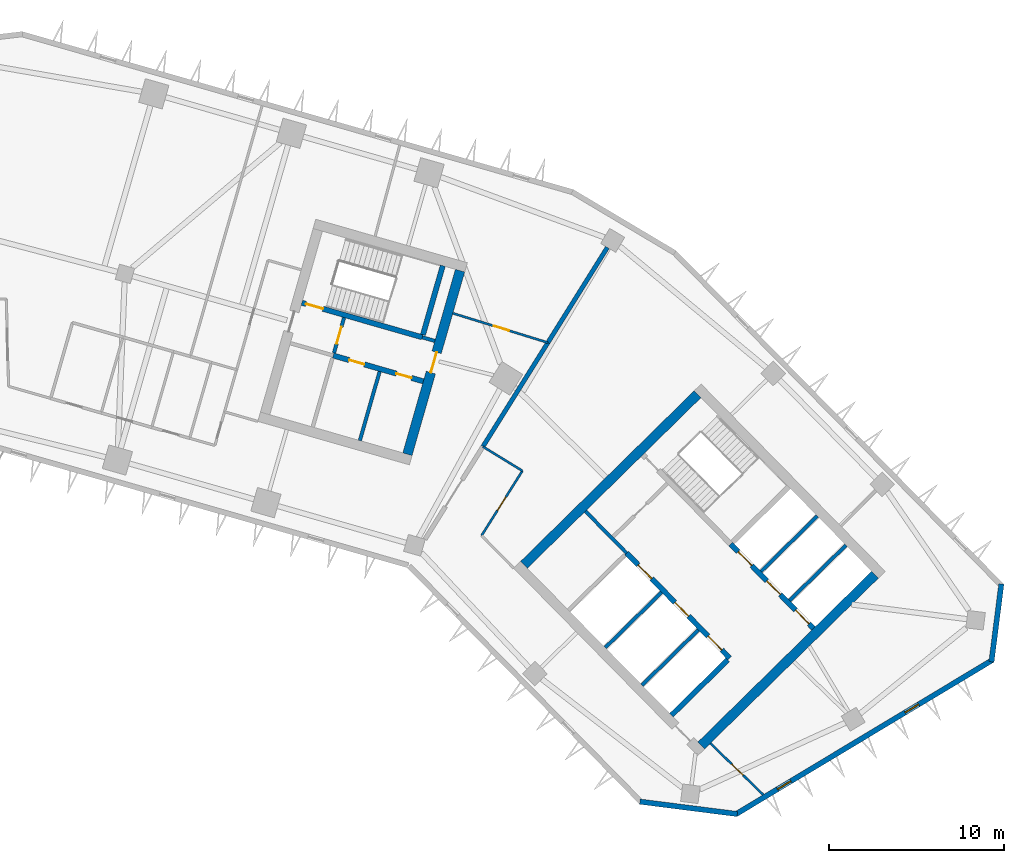
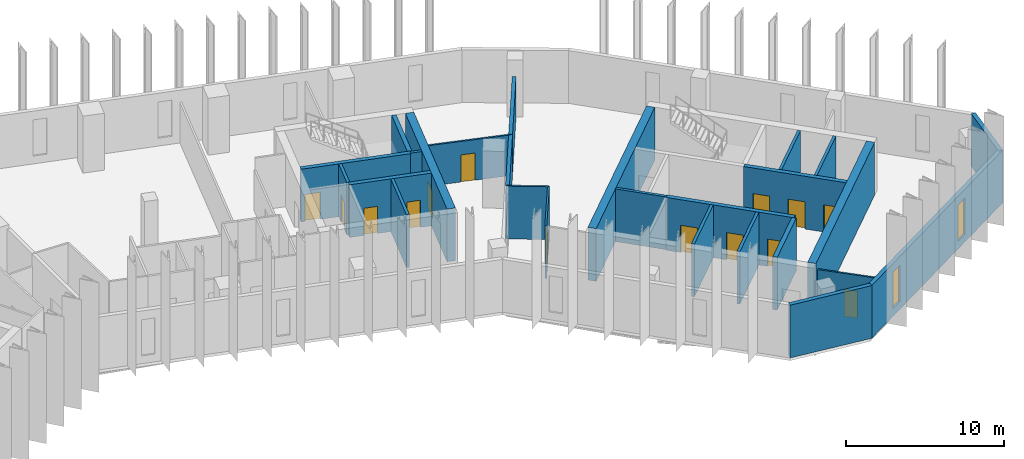
# One storey, part 6 of 11: 26 walls, 14 doors, 2 windows, 16 openings.
"""IFC4 building model written with IfcOpenShell, lengths in metres."""

from ifc_helpers import new_model, si_unit, direction, frame, frame_2d, origin, place, context, subcontext, project, spatial, rectangle, extrude, material, layer, layer_set, type_object, element, fill, save


model = new_model("IFC4")

# Units and contexts
model_context = context("Model", 3, precision=1e-05, world=origin(), true_north=direction((0.0, 1.0)))
body_context = subcontext(model_context, "Body", "Model", "MODEL_VIEW")
ifc_project = project(units=[si_unit("LENGTHUNIT", "METRE"), si_unit("AREAUNIT", "SQUARE_METRE"), si_unit("VOLUMEUNIT", "CUBIC_METRE"), si_unit("PLANEANGLEUNIT", "RADIAN"), si_unit("MASSUNIT", "GRAM", prefix="KILO")], contexts=[model_context])

# Site, building, storey
site_placement = place(None, origin())
site = spatial("IfcSite", under=ifc_project, at=site_placement, CompositionType="ELEMENT")
building_placement = place(site_placement, origin())
building = spatial("IfcBuilding", under=site, at=building_placement, Name="Binnacle Exchange Tower", CompositionType="ELEMENT")
storey_placement = place(building_placement, frame((0.0, 0.0, 105.89990234375)))
storey = spatial("IfcBuildingStorey", under=building, at=storey_placement, Name="L21", CompositionType="ELEMENT", Elevation=105.89990234375)

# Wall
ifc_material_1 = material(Name="Gypsum partition fire rated")
ifc_layer_1 = layer(ifc_material_1, 0.199951171875)
ifc_layer_set_1 = layer_set([ifc_layer_1], Name="Core partition 200")
wall_type_1 = type_object("IfcWallType", Name="Core partition 200", PredefinedType="PARTITIONING", material=ifc_layer_set_1)
wall_1_placement = place(storey_placement, frame((22.65087890625, 47.835205078125, 0.0), z_axis=(0.0, 0.0, 1.0), x_axis=(0.275625388668, 0.961265127383, 0.0)))
element("IfcWall", 1, at=wall_1_placement, inside=storey, type_object=wall_type_1, Name="Core wall CRWD10", PredefinedType="PARTITIONING", context=body_context, shape_type="SweptSolid", body=[
    extrude(rectangle(XDim=4.100341796875, YDim=0.199951171875, at=frame_2d((2.05029296875, 0.0))), origin(), (0.0, 0.0, 1.0), 4.080078125),
])

# Wall, openings, doors
ifc_material_2 = material(Name="Concrete C70/85", Category="concrete")
ifc_layer_2 = layer(ifc_material_2, 0.300048828125)
ifc_layer_set_2 = layer_set([ifc_layer_2], Name="Core wall - front 300")
wall_type_2 = type_object("IfcWallType", Name="Core wall - front 300", PredefinedType="SOLIDWALL", material=ifc_layer_set_2)
wall_2_placement = place(storey_placement, frame((37.8740234375, 41.41552734375, 0.0), z_axis=(0.0, 0.0, 1.0), x_axis=(0.700918271237, -0.71324159795, 0.0)))
wall_2 = element("IfcWall", 2, at=wall_2_placement, inside=storey, type_object=wall_type_2, Name="Core wall CRWB3", PredefinedType="SOLIDWALL", context=body_context, shape_type="SweptSolid", body=[
    extrude(rectangle(XDim=8.39990234375, YDim=0.300048828125, at=frame_2d((4.199951171875, 0.0))), origin(), (0.0, 0.0, 1.0), 4.080078125),
])
opening_1_placement = place(wall_2_placement, frame((0.949951171875, 0.0, 0.0)))
opening_1 = element("IfcOpeningElement", 3, at=opening_1_placement, cuts=wall_2, Name="Opening LD15", PredefinedType="OPENING", context=body_context, shape_type="SweptSolid", body=[
    extrude(rectangle(XDim=1.10009765625, YDim=2.10009765625, at=frame_2d((0.550048828125, 1.050048828125))), frame((0.0, 0.159912109375, 0.0), z_axis=(0.0, -1.0, 0.0), x_axis=(1.0, 0.0, 0.0)), (0.0, 0.0, 1.0), 0.320068359375),
])
opening_2_placement = place(wall_2_placement, frame((3.949951171875, 0.0, 0.0)))
opening_2 = element("IfcOpeningElement", 4, at=opening_2_placement, cuts=wall_2, Name="Opening LD16", PredefinedType="OPENING", context=body_context, shape_type="SweptSolid", body=[
    extrude(rectangle(XDim=1.10009765625, YDim=2.10009765625, at=frame_2d((0.550048828125, 1.050048828125))), frame((0.0, 0.159912109375, 0.0), z_axis=(0.0, -1.0, 0.0), x_axis=(1.0, 0.0, 0.0)), (0.0, 0.0, 1.0), 0.320068359375),
])
opening_3_placement = place(wall_2_placement, frame((6.64990234375, 0.0, 0.0)))
opening_3 = element("IfcOpeningElement", 5, at=opening_3_placement, cuts=wall_2, Name="Opening LD4", PredefinedType="OPENING", context=body_context, shape_type="SweptSolid", body=[
    extrude(rectangle(XDim=1.10009765625, YDim=2.10009765625, at=frame_2d((0.550048828125, 1.050048828125))), frame((0.0, 0.159912109375, 0.0), z_axis=(0.0, -1.0, 0.0), x_axis=(1.0, 0.0, 0.0)), (0.0, 0.0, 1.0), 0.320068359375),
])
ifc_material_3 = material(Name="Steel door leaf", Category="steel")
door_type_1 = type_object("IfcDoorType", Name="Fire door - lift landing 1100", OperationType="NOTDEFINED", PredefinedType="DOOR", material=ifc_material_3)
door_1_placement = place(opening_1_placement, origin())
door_1 = element("IfcDoor", 6, at=door_1_placement, inside=storey, type_object=door_type_1, Name="Landing door LD15 L21", OperationType="DOUBLE_DOOR_SLIDING", OverallHeight=2.10009765625, OverallWidth=1.10009765625, PredefinedType="DOOR", context=body_context, shape_type="SweptSolid", body=[
    extrude(rectangle(XDim=1.10009765625, YDim=2.10009765625, at=frame_2d((0.550048828125, 1.050048828125))), frame((0.0, 0.02490234375, 0.0), z_axis=(0.0, -1.0, 0.0), x_axis=(1.0, 0.0, 0.0)), (0.0, 0.0, 1.0), 0.050048828125),
])
fill(opening_1, door_1)
door_2_placement = place(opening_2_placement, origin())
door_2 = element("IfcDoor", 7, at=door_2_placement, inside=storey, type_object=door_type_1, Name="Landing door LD16 L21", OperationType="DOUBLE_DOOR_SLIDING", OverallHeight=2.10009765625, OverallWidth=1.10009765625, PredefinedType="DOOR", context=body_context, shape_type="SweptSolid", body=[
    extrude(rectangle(XDim=1.10009765625, YDim=2.10009765625, at=frame_2d((0.550048828125, 1.050048828125))), frame((0.0, 0.02490234375, 0.0), z_axis=(0.0, -1.0, 0.0), x_axis=(1.0, 0.0, 0.0)), (0.0, 0.0, 1.0), 0.050048828125),
])
fill(opening_2, door_2)
door_3_placement = place(opening_3_placement, origin())
door_3 = element("IfcDoor", 8, at=door_3_placement, inside=storey, type_object=door_type_1, Name="Landing door LD4 L21", OperationType="DOUBLE_DOOR_SLIDING", OverallHeight=2.10009765625, OverallWidth=1.10009765625, PredefinedType="DOOR", context=body_context, shape_type="SweptSolid", body=[
    extrude(rectangle(XDim=1.10009765625, YDim=2.10009765625, at=frame_2d((0.550048828125, 1.050048828125))), frame((0.0, 0.02490234375, 0.0), z_axis=(0.0, -1.0, 0.0), x_axis=(1.0, 0.0, 0.0)), (0.0, 0.0, 1.0), 0.050048828125),
])
fill(opening_3, door_3)

wall_3_placement = place(storey_placement, frame((43.818603515625, 41.92919921875, 0.0), z_axis=(0.0, 0.0, 1.0), x_axis=(0.700931209592, -0.713228882912, 0.0)))
wall_3 = element("IfcWall", 9, at=wall_3_placement, inside=storey, type_object=wall_type_2, Name="Core wall CRWB5", PredefinedType="SOLIDWALL", context=body_context, shape_type="SweptSolid", body=[
    extrude(rectangle(XDim=6.75, YDim=0.300048828125, at=frame_2d((3.375, 0.0))), origin(), (0.0, 0.0, 1.0), 4.080078125),
])
opening_4_placement = place(wall_3_placement, frame((0.614990234375, 0.0, 0.0)))
opening_4 = element("IfcOpeningElement", 10, at=opening_4_placement, cuts=wall_3, Name="Opening LD1", PredefinedType="OPENING", context=body_context, shape_type="SweptSolid", body=[
    extrude(rectangle(XDim=1.10009765625, YDim=2.10009765625, at=frame_2d((0.550048828125, 1.050048828125))), frame((0.0, 0.159912109375, 0.0), z_axis=(0.0, -1.0, 0.0), x_axis=(1.0, 0.0, 0.0)), (0.0, 0.0, 1.0), 0.320068359375),
])
opening_5_placement = place(wall_3_placement, frame((2.945068359375, 0.0, 0.0)))
opening_5 = element("IfcOpeningElement", 11, at=opening_5_placement, cuts=wall_3, Name="Opening LD2", PredefinedType="OPENING", context=body_context, shape_type="SweptSolid", body=[
    extrude(rectangle(XDim=1.10009765625, YDim=2.10009765625, at=frame_2d((0.550048828125, 1.050048828125))), frame((0.0, 0.159912109375, 0.0), z_axis=(0.0, -1.0, 0.0), x_axis=(1.0, 0.0, 0.0)), (0.0, 0.0, 1.0), 0.320068359375),
])
opening_6_placement = place(wall_3_placement, frame((5.280029296875, 0.0, 0.0)))
opening_6 = element("IfcOpeningElement", 12, at=opening_6_placement, cuts=wall_3, Name="Opening LD3", PredefinedType="OPENING", context=body_context, shape_type="SweptSolid", body=[
    extrude(rectangle(XDim=1.10009765625, YDim=2.10009765625, at=frame_2d((0.550048828125, 1.050048828125))), frame((0.0, 0.159912109375, 0.0), z_axis=(0.0, -1.0, 0.0), x_axis=(1.0, 0.0, 0.0)), (0.0, 0.0, 1.0), 0.320068359375),
])
door_4_placement = place(opening_4_placement, origin())
door_4 = element("IfcDoor", 13, at=door_4_placement, inside=storey, type_object=door_type_1, Name="Landing door LD1 L21", OperationType="DOUBLE_DOOR_SLIDING", OverallHeight=2.10009765625, OverallWidth=1.10009765625, PredefinedType="DOOR", context=body_context, shape_type="SweptSolid", body=[
    extrude(rectangle(XDim=1.10009765625, YDim=2.10009765625, at=frame_2d((0.550048828125, 1.050048828125))), frame((0.0, 0.02490234375, 0.0), z_axis=(0.0, -1.0, 0.0), x_axis=(1.0, 0.0, 0.0)), (0.0, 0.0, 1.0), 0.050048828125),
])
fill(opening_4, door_4)
door_5_placement = place(opening_5_placement, origin())
door_5 = element("IfcDoor", 14, at=door_5_placement, inside=storey, type_object=door_type_1, Name="Landing door LD2 L21", OperationType="DOUBLE_DOOR_SLIDING", OverallHeight=2.10009765625, OverallWidth=1.10009765625, PredefinedType="DOOR", context=body_context, shape_type="SweptSolid", body=[
    extrude(rectangle(XDim=1.10009765625, YDim=2.10009765625, at=frame_2d((0.550048828125, 1.050048828125))), frame((0.0, 0.02490234375, 0.0), z_axis=(0.0, -1.0, 0.0), x_axis=(1.0, 0.0, 0.0)), (0.0, 0.0, 1.0), 0.050048828125),
])
fill(opening_5, door_5)
door_6_placement = place(opening_6_placement, origin())
door_6 = element("IfcDoor", 15, at=door_6_placement, inside=storey, type_object=door_type_1, Name="Landing door LD3 L21", OperationType="DOUBLE_DOOR_SLIDING", OverallHeight=2.10009765625, OverallWidth=1.10009765625, PredefinedType="DOOR", context=body_context, shape_type="SweptSolid", body=[
    extrude(rectangle(XDim=1.10009765625, YDim=2.10009765625, at=frame_2d((0.550048828125, 1.050048828125))), frame((0.0, 0.02490234375, 0.0), z_axis=(0.0, -1.0, 0.0), x_axis=(1.0, 0.0, 0.0)), (0.0, 0.0, 1.0), 0.050048828125),
])
fill(opening_6, door_6)

# Wall
wall_4_placement = place(storey_placement, frame((40.445068359375, 32.1650390625, 0.0), z_axis=(0.0, 0.0, 1.0), x_axis=(0.713264577552, 0.700894886848, 0.0)))
element("IfcWall", 16, at=wall_4_placement, inside=storey, type_object=wall_type_2, Name="Core wall CRWB14", PredefinedType="SOLIDWALL", context=body_context, shape_type="SweptSolid", body=[
    extrude(rectangle(XDim=4.5, YDim=0.300048828125, at=frame_2d((2.25, 0.0))), origin(), (0.0, 0.0, 1.0), 4.080078125),
])

# Wall, openings, doors
wall_5_placement = place(storey_placement, frame((21.130859375, 52.6923828125, 0.0), z_axis=(0.0, 0.0, 1.0), x_axis=(0.961265220997, -0.27562506218, 0.0)))
wall_5 = element("IfcWall", 17, at=wall_5_placement, inside=storey, type_object=wall_type_2, Name="Core wall CRWD3", PredefinedType="SOLIDWALL", context=body_context, shape_type="SweptSolid", body=[
    extrude(rectangle(XDim=5.35009765625, YDim=0.300048828125, at=frame_2d((2.675048828125, 0.0))), origin(), (0.0, 0.0, 1.0), 4.080078125),
])
opening_7_placement = place(wall_5_placement, frame((0.949951171875, 0.0, 0.0)))
opening_7 = element("IfcOpeningElement", 18, at=opening_7_placement, cuts=wall_5, Name="Opening DD10", PredefinedType="OPENING", context=body_context, shape_type="SweptSolid", body=[
    extrude(rectangle(XDim=0.89990234375, YDim=2.10009765625, at=frame_2d((0.449951171875, 1.050048828125))), frame((0.0, 0.159912109375, 0.0), z_axis=(0.0, -1.0, 0.0), x_axis=(1.0, 0.0, 0.0)), (0.0, 0.0, 1.0), 0.320068359375),
])
opening_8_placement = place(wall_5_placement, frame((3.75, 0.0, 0.0)))
opening_8 = element("IfcOpeningElement", 19, at=opening_8_placement, cuts=wall_5, Name="Opening DD11", PredefinedType="OPENING", context=body_context, shape_type="SweptSolid", body=[
    extrude(rectangle(XDim=0.89990234375, YDim=2.10009765625, at=frame_2d((0.449951171875, 1.050048828125))), frame((0.0, 0.159912109375, 0.0), z_axis=(0.0, -1.0, 0.0), x_axis=(1.0, 0.0, 0.0)), (0.0, 0.0, 1.0), 0.320068359375),
])
door_type_2 = type_object("IfcDoorType", Name="Fire door 900", OperationType="NOTDEFINED", PredefinedType="DOOR", material=ifc_material_3)
door_7_placement = place(opening_7_placement, frame((0.89990234375, 0.0, 0.0), z_axis=(0.0, 0.0, 1.0), x_axis=(-1.0, 0.0, 0.0)))
door_7 = element("IfcDoor", 20, at=door_7_placement, inside=storey, type_object=door_type_2, Name="Core room door IT STORE", OperationType="SINGLE_SWING_RIGHT", OverallHeight=2.10009765625, OverallWidth=0.89990234375, PredefinedType="DOOR", context=body_context, shape_type="SweptSolid", body=[
    extrude(rectangle(XDim=0.89990234375, YDim=2.10009765625, at=frame_2d((0.449951171875, 1.050048828125))), frame((0.0, 0.02490234375, 0.0), z_axis=(0.0, -1.0, 0.0), x_axis=(1.0, 0.0, 0.0)), (0.0, 0.0, 1.0), 0.050048828125),
])
fill(opening_7, door_7)
door_8_placement = place(opening_8_placement, frame((0.89990234375, 0.0, 0.0), z_axis=(0.0, 0.0, 1.0), x_axis=(-1.0, 0.0, 0.0)))
door_8 = element("IfcDoor", 21, at=door_8_placement, inside=storey, type_object=door_type_2, Name="Core room door UPS CUPBOARD", OperationType="SINGLE_SWING_LEFT", OverallHeight=2.10009765625, OverallWidth=0.89990234375, PredefinedType="DOOR", context=body_context, shape_type="SweptSolid", body=[
    extrude(rectangle(XDim=0.89990234375, YDim=2.10009765625, at=frame_2d((0.449951171875, 1.050048828125))), frame((0.0, 0.02490234375, 0.0), z_axis=(0.0, -1.0, 0.0), x_axis=(1.0, 0.0, 0.0)), (0.0, 0.0, 1.0), 0.050048828125),
])
fill(opening_8, door_8)

# Walls
ifc_layer_3 = layer(ifc_material_2, 0.550048828125)
ifc_layer_set_3 = layer_set([ifc_layer_3], Name="Core wall - outer 550")
wall_type_3 = type_object("IfcWallType", Name="Core wall - outer 550", PredefinedType="SOLIDWALL", material=ifc_layer_set_3)
for number, where, z_axis, x_axis, name in (
    (22, (32.0166015625, 40.74169921875, 0.0), (0.0, 0.0, 1.0), (0.713253550094, 0.700906108746, 0.0), "Core wall CRWB7"),
    (23, (42.144775390625, 30.435302734375, 0.0), (0.0, 0.0, 1.0), (0.713253550094, 0.700906108746, 0.0), "Core wall CRWB16"),
):
    element("IfcWall", number, at=place(storey_placement, frame(where, z_axis=z_axis, x_axis=x_axis)), inside=storey, type_object=wall_type_3, Name=name, PredefinedType="SOLIDWALL", context=body_context, shape_type="SweptSolid", body=[
        extrude(rectangle(XDim=13.900146484375, YDim=0.550048828125, at=frame_2d((6.9501953125, 0.0))), origin(), (0.0, 0.0, 1.0), 4.080078125),
    ])

# Wall, opening, door
wall_6_placement = place(storey_placement, frame((25.366455078125, 47.056640625, 0.0), z_axis=(0.0, 0.0, 1.0), x_axis=(0.275632146085, 0.96126318979, 0.0)))
wall_6 = element("IfcWall", 24, at=wall_6_placement, inside=storey, type_object=wall_type_3, Name="Core wall CRWD12", PredefinedType="SOLIDWALL", context=body_context, shape_type="SweptSolid", body=[
    extrude(rectangle(XDim=10.89990234375, YDim=0.550048828125, at=frame_2d((5.449951171875, 0.0))), origin(), (0.0, 0.0, 1.0), 4.080078125),
])
opening_9_placement = place(wall_6_placement, frame((4.849853515625, 0.0, 0.0)))
opening_9 = element("IfcOpeningElement", 25, at=opening_9_placement, cuts=wall_6, Name="Opening DD6", PredefinedType="OPENING", context=body_context, shape_type="SweptSolid", body=[
    extrude(rectangle(XDim=1.199951171875, YDim=2.10009765625, at=frame_2d((0.60009765625, 1.050048828125))), frame((0.0, 0.284912109375, 0.0), z_axis=(0.0, -1.0, 0.0), x_axis=(1.0, 0.0, 0.0)), (0.0, 0.0, 1.0), 0.570068359375),
])
door_type_3 = type_object("IfcDoorType", Name="Fire door 1200", OperationType="NOTDEFINED", PredefinedType="DOOR", material=ifc_material_3)
door_9_placement = place(opening_9_placement, frame((1.199951171875, 0.0, 0.0), z_axis=(0.0, 0.0, 1.0), x_axis=(-1.0, 0.0, 0.0)))
door_9 = element("IfcDoor", 26, at=door_9_placement, inside=storey, type_object=door_type_3, Name="Core passage exit door", OperationType="SINGLE_SWING_RIGHT", OverallHeight=2.10009765625, OverallWidth=1.199951171875, PredefinedType="DOOR", context=body_context, shape_type="SweptSolid", body=[
    extrude(rectangle(XDim=1.199951171875, YDim=2.10009765625, at=frame_2d((0.60009765625, 1.050048828125))), frame((0.0, 0.02490234375, 0.0), z_axis=(0.0, -1.0, 0.0), x_axis=(1.0, 0.0, 0.0)), (0.0, 0.0, 1.0), 0.050048828125),
])
fill(opening_9, door_9)

ifc_layer_4 = layer(ifc_material_2, 0.300048828125)
ifc_layer_set_4 = layer_set([ifc_layer_4], Name="Core wall - stair 300")
wall_type_4 = type_object("IfcWallType", Name="Core wall - stair 300", PredefinedType="SOLIDWALL", material=ifc_layer_set_4)
wall_7_placement = place(storey_placement, frame((19.34130859375, 55.702392578125, 0.0), z_axis=(0.0, 0.0, 1.0), x_axis=(0.961263228157, -0.27563201228, 0.0)))
wall_7 = element("IfcWall", 27, at=wall_7_placement, inside=storey, type_object=wall_type_4, Name="Core wall CRWD4", PredefinedType="SOLIDWALL", context=body_context, shape_type="SweptSolid", body=[
    extrude(rectangle(XDim=7.149658203125, YDim=0.300048828125, at=frame_2d((3.57470703125, 0.0))), origin(), (0.0, 0.0, 1.0), 4.080078125),
])
opening_10_placement = place(wall_7_placement, frame((0.25, 0.0, 0.0)))
opening_10 = element("IfcOpeningElement", 28, at=opening_10_placement, cuts=wall_7, Name="Opening DD1", PredefinedType="OPENING", context=body_context, shape_type="SweptSolid", body=[
    extrude(rectangle(XDim=1.0, YDim=2.10009765625, at=frame_2d((0.5, 1.050048828125))), frame((0.0, 0.159912109375, 0.0), z_axis=(0.0, -1.0, 0.0), x_axis=(1.0, 0.0, 0.0)), (0.0, 0.0, 1.0), 0.320068359375),
])
door_type_4 = type_object("IfcDoorType", Name="Fire door 1000", OperationType="NOTDEFINED", PredefinedType="DOOR", material=ifc_material_3)
door_10_placement = place(opening_10_placement, origin())
door_10 = element("IfcDoor", 29, at=door_10_placement, inside=storey, type_object=door_type_4, Name="Stair door ST-D1", OperationType="SINGLE_SWING_LEFT", OverallHeight=2.10009765625, OverallWidth=1.0, PredefinedType="DOOR", context=body_context, shape_type="SweptSolid", body=[
    extrude(rectangle(XDim=1.0, YDim=2.10009765625, at=frame_2d((0.5, 1.050048828125))), frame((0.0, 0.02490234375, 0.0), z_axis=(0.0, -1.0, 0.0), x_axis=(1.0, 0.0, 0.0)), (0.0, 0.0, 1.0), 0.050048828125),
])
fill(opening_10, door_10)

# Walls
wall_8_placement = place(storey_placement, frame((26.255615234375, 53.875732421875, 0.0), z_axis=(0.0, 0.0, 1.0), x_axis=(0.275641165445, 0.961260603537, 0.0)))
element("IfcWall", 30, at=wall_8_placement, inside=storey, type_object=wall_type_4, Name="Core wall CRWD11", PredefinedType="SOLIDWALL", context=body_context, shape_type="SweptSolid", body=[
    extrude(rectangle(XDim=4.10009765625, YDim=0.300048828125, at=frame_2d((2.050048828125, 0.0))), origin(), (0.0, 0.0, 1.0), 4.080078125),
])
ifc_material_4 = material(Name="Bronze aluminium cladding", Category="aluminium")
ifc_layer_5 = layer(ifc_material_4, 0.300048828125)
ifc_layer_set_5 = layer_set([ifc_layer_5], Name="External wall - spandrel 300")
wall_type_5 = type_object("IfcWallType", Name="External wall - spandrel 300", PredefinedType="STANDARD", material=ifc_layer_set_5)
wall_9_placement = place(storey_placement, frame((44.19580078125, 26.517822265625, 0.0), z_axis=(0.0, 0.0, 1.0), x_axis=(-0.992001881269, 0.126223086474, 0.0)))
element("IfcWall", 31, at=wall_9_placement, inside=storey, type_object=wall_type_5, Name="External wall EW-F10 L21", PredefinedType="STANDARD", context=body_context, shape_type="SweptSolid", body=[
    extrude(rectangle(XDim=5.6015625, YDim=0.300048828125, at=frame_2d((2.80078125, 0.0))), origin(), (0.0, 0.0, 1.0), 4.080078125),
])

# Wall, openings, windows
wall_10_placement = place(storey_placement, frame((58.7783203125, 35.317626953125, 0.0), z_axis=(0.0, 0.0, 1.0), x_axis=(-0.857168206138, -0.515036568009, 0.0)))
wall_10 = element("IfcWall", 32, at=wall_10_placement, inside=storey, type_object=wall_type_5, Name="External wall EW-F11 L21", PredefinedType="STANDARD", context=body_context, shape_type="SweptSolid", body=[
    extrude(rectangle(XDim=17.124755859375, YDim=0.300048828125, at=frame_2d((8.5625, 0.0))), origin(), (0.0, 0.0, 1.0), 4.080078125),
])
opening_11_placement = place(wall_10_placement, frame((13.435302734375, 0.0, 0.60009765625)))
opening_11 = element("IfcOpeningElement", 33, at=opening_11_placement, cuts=wall_10, Name="Opening WS2", PredefinedType="OPENING", context=body_context, shape_type="SweptSolid", body=[
    extrude(rectangle(XDim=0.89990234375, YDim=2.800048828125, at=frame_2d((0.449951171875, 1.39990234375))), frame((0.0, 0.159912109375, 0.0), z_axis=(0.0, -1.0, 0.0), x_axis=(1.0, 0.0, 0.0)), (0.0, 0.0, 1.0), 0.320068359375),
])
opening_12_placement = place(wall_10_placement, frame((4.935302734375, 0.0, 0.60009765625)))
opening_12 = element("IfcOpeningElement", 34, at=opening_12_placement, cuts=wall_10, Name="Opening WS2", PredefinedType="OPENING", context=body_context, shape_type="SweptSolid", body=[
    extrude(rectangle(XDim=0.89990234375, YDim=2.800048828125, at=frame_2d((0.449951171875, 1.39990234375))), frame((0.0, 0.159912109375, 0.0), z_axis=(0.0, -1.0, 0.0), x_axis=(1.0, 0.0, 0.0)), (0.0, 0.0, 1.0), 0.320068359375),
])
ifc_material_5 = material(Name="Bronze anodised aluminium frame", Category="aluminium")
window_type = type_object("IfcWindowType", Name="WS2 WINDOW 900x2800", PartitioningType="SINGLE_PANEL", PredefinedType="WINDOW", material=ifc_material_5)
window_1_placement = place(opening_11_placement, origin())
window_1 = element("IfcWindow", 35, at=window_1_placement, inside=storey, type_object=window_type, Name="Window WS2 L21", OverallHeight=2.800048828125, OverallWidth=0.89990234375, PartitioningType="SINGLE_PANEL", PredefinedType="WINDOW", context=body_context, shape_type="SweptSolid", body=[
    extrude(rectangle(XDim=0.89990234375, YDim=2.800048828125, at=frame_2d((0.449951171875, 1.39990234375))), frame((0.0, 0.030029296875, 0.0), z_axis=(0.0, -1.0, 0.0), x_axis=(1.0, 0.0, 0.0)), (0.0, 0.0, 1.0), 0.06005859375),
])
fill(opening_11, window_1)
window_2_placement = place(opening_12_placement, origin())
window_2 = element("IfcWindow", 36, at=window_2_placement, inside=storey, type_object=window_type, Name="Window WS2 L21", OverallHeight=2.800048828125, OverallWidth=0.89990234375, PartitioningType="SINGLE_PANEL", PredefinedType="WINDOW", context=body_context, shape_type="SweptSolid", body=[
    extrude(rectangle(XDim=0.89990234375, YDim=2.800048828125, at=frame_2d((0.449951171875, 1.39990234375))), frame((0.0, 0.030029296875, 0.0), z_axis=(0.0, -1.0, 0.0), x_axis=(1.0, 0.0, 0.0)), (0.0, 0.0, 1.0), 0.06005859375),
])
fill(opening_12, window_2)

# Walls
wall_11_placement = place(storey_placement, frame((59.27197265625, 39.6513671875, 0.0), z_axis=(0.0, 0.0, 1.0), x_axis=(-0.126181137886, -0.992007217938, 0.0)))
element("IfcWall", 37, at=wall_11_placement, inside=storey, type_object=wall_type_5, Name="External wall EW-F12 L21", PredefinedType="STANDARD", context=body_context, shape_type="SweptSolid", body=[
    extrude(rectangle(XDim=4.479248046875, YDim=0.300048828125, at=frame_2d((2.23974609375, 0.0))), origin(), (0.0, 0.0, 1.0), 4.080078125),
])
ifc_material_6 = material(Name="Concrete fire wall C30/37", Category="concrete")
ifc_layer_6 = layer(ifc_material_6, 0.25)
ifc_layer_set_6 = layer_set([ifc_layer_6], Name="Fire wall - compartment 250")
wall_type_6 = type_object("IfcWallType", Name="Fire wall - compartment 250", PredefinedType="PARTITIONING", material=ifc_layer_set_6)
wall_12_placement = place(storey_placement, frame((29.675048828125, 47.490966796875, 0.0), z_axis=(0.0, 0.0, 1.0), x_axis=(0.529992669945, 0.848002222759, 0.0)))
element("IfcWall", 38, at=wall_12_placement, inside=storey, type_object=wall_type_6, Name="Fire Wall W41", PredefinedType="PARTITIONING", context=body_context, shape_type="SweptSolid", body=[
    extrude(rectangle(XDim=7.0, YDim=0.25, at=frame_2d((3.5, 0.0))), origin(), (0.0, 0.0, 1.0), 3.14208984375),
])
wall_13_placement = place(storey_placement, frame((33.385009765625, 53.427001953125, 0.0), z_axis=(0.0, 0.0, 1.0), x_axis=(0.52989620904, 0.848062502204, 0.0)))
element("IfcWall", 39, at=wall_13_placement, inside=storey, type_object=wall_type_6, Name="Fire Wall W42", PredefinedType="PARTITIONING", context=body_context, shape_type="SweptSolid", body=[
    extrude(rectangle(XDim=6.40869140625, YDim=0.25, at=frame_2d((3.204345703125, 0.0))), origin(), (0.0, 0.0, 1.0), 3.14208984375),
])

# Wall, opening, door
ifc_material_7 = material(Name="Masonry block wall", Category="masonry")
ifc_layer_7 = layer(ifc_material_7, 0.199951171875)
ifc_layer_set_7 = layer_set([ifc_layer_7], Name="Fire wall - vestibule 200")
wall_type_7 = type_object("IfcWallType", Name="Fire wall - vestibule 200", PredefinedType="PARTITIONING", material=ifc_layer_set_7)
wall_14_placement = place(storey_placement, frame((21.172119140625, 52.836669921875, 0.0), z_axis=(0.0, 0.0, 1.0), x_axis=(0.275657676022, 0.961255868981, 0.0)))
wall_14 = element("IfcWall", 40, at=wall_14_placement, inside=storey, type_object=wall_type_7, Name="Core wall CRWD9", PredefinedType="PARTITIONING", context=body_context, shape_type="SweptSolid", body=[
    extrude(rectangle(XDim=2.099853515625, YDim=0.199951171875, at=frame_2d((1.0498046875, 0.0))), origin(), (0.0, 0.0, 1.0), 4.080078125),
])
opening_13_placement = place(wall_14_placement, frame((0.550048828125, 0.0, 0.0)))
opening_13 = element("IfcOpeningElement", 41, at=opening_13_placement, cuts=wall_14, Name="Opening DD3", PredefinedType="OPENING", context=body_context, shape_type="SweptSolid", body=[
    extrude(rectangle(XDim=1.0, YDim=2.10009765625, at=frame_2d((0.5, 1.050048828125))), frame((0.0, 0.10986328125, 0.0), z_axis=(0.0, -1.0, 0.0), x_axis=(1.0, 0.0, 0.0)), (0.0, 0.0, 1.0), 0.219970703125),
])
door_11_placement = place(opening_13_placement, origin())
door_11 = element("IfcDoor", 42, at=door_11_placement, inside=storey, type_object=door_type_4, Name="Vestibule door VEST-W", OperationType="SINGLE_SWING_RIGHT", OverallHeight=2.10009765625, OverallWidth=1.0, PredefinedType="DOOR", context=body_context, shape_type="SweptSolid", body=[
    extrude(rectangle(XDim=1.0, YDim=2.10009765625, at=frame_2d((0.5, 1.050048828125))), frame((0.0, 0.02490234375, 0.0), z_axis=(0.0, -1.0, 0.0), x_axis=(1.0, 0.0, 0.0)), (0.0, 0.0, 1.0), 0.050048828125),
])
fill(opening_13, door_11)

ifc_material_8 = material(Name="Gypsum partition")
ifc_layer_8 = layer(ifc_material_8, 0.125)
ifc_layer_set_8 = layer_set([ifc_layer_8], Name="Partition 125")
wall_type_8 = type_object("IfcWallType", Name="Partition 125", PredefinedType="PARTITIONING", material=ifc_layer_set_8)
wall_15_placement = place(storey_placement, frame((27.9599609375, 55.10302734375, 0.0), z_axis=(0.0, 0.0, 1.0), x_axis=(0.955442775069, -0.29517639399, 0.0)))
wall_15 = element("IfcWall", 43, at=wall_15_placement, inside=storey, type_object=wall_type_8, Name="Partition W37", PredefinedType="PARTITIONING", context=body_context, shape_type="SweptSolid", body=[
    extrude(rectangle(XDim=5.677978515625, YDim=0.125, at=frame_2d((2.8388671875, 0.0))), origin(), (0.0, 0.0, 1.0), 3.14208984375),
])
opening_14_placement = place(wall_15_placement, frame((2.449951171875, 0.0, 0.0)))
opening_14 = element("IfcOpeningElement", 44, at=opening_14_placement, cuts=wall_15, Name="Opening DL19-10", PredefinedType="OPENING", context=body_context, shape_type="SweptSolid", body=[
    extrude(rectangle(XDim=0.89990234375, YDim=2.10009765625, at=frame_2d((0.449951171875, 1.050048828125))), frame((0.0, 0.072509765625, 0.0), z_axis=(0.0, -1.0, 0.0), x_axis=(1.0, 0.0, 0.0)), (0.0, 0.0, 1.0), 0.14501953125),
])
ifc_material_9 = material(Name="Timber door leaf", Category="wood")
door_type_5 = type_object("IfcDoorType", Name="Door 900", OperationType="NOTDEFINED", PredefinedType="DOOR", material=ifc_material_9)
door_12_placement = place(opening_14_placement, origin())
door_12 = element("IfcDoor", 45, at=door_12_placement, inside=storey, type_object=door_type_5, Name="Door DL19-10", OperationType="SINGLE_SWING_RIGHT", OverallHeight=2.10009765625, OverallWidth=0.89990234375, PredefinedType="DOOR", context=body_context, shape_type="SweptSolid", body=[
    extrude(rectangle(XDim=0.89990234375, YDim=2.10009765625, at=frame_2d((0.449951171875, 1.050048828125))), frame((0.0, 0.02490234375, 0.0), z_axis=(0.0, -1.0, 0.0), x_axis=(1.0, 0.0, 0.0)), (0.0, 0.0, 1.0), 0.050048828125),
])
fill(opening_14, door_12)

wall_16_placement = place(storey_placement, frame((29.60009765625, 42.416015625, 0.0), z_axis=(0.0, 0.0, 1.0), x_axis=(0.533582711531, 0.84574788794, 0.0)))
wall_16 = element("IfcWall", 46, at=wall_16_placement, inside=storey, type_object=wall_type_8, Name="Partition W39", PredefinedType="PARTITIONING", context=body_context, shape_type="SweptSolid", body=[
    extrude(rectangle(XDim=4.366455078125, YDim=0.125, at=frame_2d((2.18310546875, 0.0))), origin(), (0.0, 0.0, 1.0), 4.080078125),
])
opening_15_placement = place(wall_16_placement, frame((1.699951171875, 0.0, 0.0)))
opening_15 = element("IfcOpeningElement", 47, at=opening_15_placement, cuts=wall_16, Name="Opening DL19-11", PredefinedType="OPENING", context=body_context, shape_type="SweptSolid", body=[
    extrude(rectangle(XDim=0.89990234375, YDim=2.10009765625, at=frame_2d((0.449951171875, 1.050048828125))), frame((0.0, 0.072509765625, 0.0), z_axis=(0.0, -1.0, 0.0), x_axis=(1.0, 0.0, 0.0)), (0.0, 0.0, 1.0), 0.14501953125),
])
door_13_placement = place(opening_15_placement, frame((0.89990234375, 0.0, 0.0), z_axis=(0.0, 0.0, 1.0), x_axis=(-1.0, 0.0, 0.0)))
door_13 = element("IfcDoor", 48, at=door_13_placement, inside=storey, type_object=door_type_5, Name="Door DL19-11", OperationType="SINGLE_SWING_RIGHT", OverallHeight=2.10009765625, OverallWidth=0.89990234375, PredefinedType="DOOR", context=body_context, shape_type="SweptSolid", body=[
    extrude(rectangle(XDim=0.89990234375, YDim=2.10009765625, at=frame_2d((0.449951171875, 1.050048828125))), frame((0.0, 0.02490234375, 0.0), z_axis=(0.0, -1.0, 0.0), x_axis=(1.0, 0.0, 0.0)), (0.0, 0.0, 1.0), 0.050048828125),
])
fill(opening_15, door_13)

# Wall
wall_17_placement = place(storey_placement, frame((29.675048828125, 47.490966796875, 0.0), z_axis=(0.0, 0.0, 1.0), x_axis=(0.852591965232, -0.522577210392, 0.0)))
element("IfcWall", 49, at=wall_17_placement, inside=storey, type_object=wall_type_8, Name="Partition W40", PredefinedType="PARTITIONING", context=body_context, shape_type="SweptSolid", body=[
    extrude(rectangle(XDim=2.644775390625, YDim=0.125, at=frame_2d((1.322265625, 0.0))), origin(), (0.0, 0.0, 1.0), 4.080078125),
])

# Wall, opening, door
wall_18_placement = place(storey_placement, frame((42.658935546875, 30.554931640625, 0.0), z_axis=(0.0, 0.0, 1.0), x_axis=(0.716925671772, -0.697149611743, 0.0)))
wall_18 = element("IfcWall", 50, at=wall_18_placement, inside=storey, type_object=wall_type_8, Name="Partition W43", PredefinedType="PARTITIONING", context=body_context, shape_type="SweptSolid", body=[
    extrude(rectangle(XDim=4.209716796875, YDim=0.125, at=frame_2d((2.10498046875, 0.0))), origin(), (0.0, 0.0, 1.0), 3.35205078125),
])
opening_16_placement = place(wall_18_placement, frame((1.699951171875, 0.0, 0.0)))
opening_16 = element("IfcOpeningElement", 51, at=opening_16_placement, cuts=wall_18, Name="Opening DL19-12", PredefinedType="OPENING", context=body_context, shape_type="SweptSolid", body=[
    extrude(rectangle(XDim=0.89990234375, YDim=2.10009765625, at=frame_2d((0.449951171875, 1.050048828125))), frame((0.0, 0.072509765625, 0.0), z_axis=(0.0, -1.0, 0.0), x_axis=(1.0, 0.0, 0.0)), (0.0, 0.0, 1.0), 0.14501953125),
])
door_14_placement = place(opening_16_placement, origin())
door_14 = element("IfcDoor", 52, at=door_14_placement, inside=storey, type_object=door_type_5, Name="Door DL19-12", OperationType="SINGLE_SWING_RIGHT", OverallHeight=2.10009765625, OverallWidth=0.89990234375, PredefinedType="DOOR", context=body_context, shape_type="SweptSolid", body=[
    extrude(rectangle(XDim=0.89990234375, YDim=2.10009765625, at=frame_2d((0.449951171875, 1.050048828125))), frame((0.0, 0.02490234375, 0.0), z_axis=(0.0, -1.0, 0.0), x_axis=(1.0, 0.0, 0.0)), (0.0, 0.0, 1.0), 0.050048828125),
])
fill(opening_16, door_14)

# Walls
ifc_layer_9 = layer(ifc_material_7, 0.199951171875)
ifc_layer_set_9 = layer_set([ifc_layer_9], Name="Riser wall 200")
wall_type_9 = type_object("IfcWallType", Name="Riser wall 200", PredefinedType="SOLIDWALL", material=ifc_layer_set_9)
wall_19_placement = place(storey_placement, frame((35.526123046875, 43.804931640625, 0.0), z_axis=(0.0, 0.0, 1.0), x_axis=(0.700884863746, -0.713274426691, 0.0)))
element("IfcWall", 53, at=wall_19_placement, inside=storey, type_object=wall_type_9, Name="Core wall CRWB2", PredefinedType="SOLIDWALL", context=body_context, shape_type="SweptSolid", body=[
    extrude(rectangle(XDim=3.349853515625, YDim=0.199951171875, at=frame_2d((1.6748046875, 0.0))), origin(), (0.0, 0.0, 1.0), 4.080078125),
])
wall_20_placement = place(storey_placement, frame((26.214111328125, 53.731689453125, 0.0), z_axis=(0.0, 0.0, 1.0), x_axis=(0.961240918172, -0.275709806194, 0.0)))
element("IfcWall", 54, at=wall_20_placement, inside=storey, type_object=wall_type_9, Name="Core wall CRWD5", PredefinedType="SOLIDWALL", context=body_context, shape_type="SweptSolid", body=[
    extrude(rectangle(XDim=0.75, YDim=0.199951171875, at=frame_2d((0.375, 0.0))), origin(), (0.0, 0.0, 1.0), 4.080078125),
])
ifc_layer_10 = layer(ifc_material_7, 0.199951171875)
ifc_layer_set_10 = layer_set([ifc_layer_10], Name="Shaft wall 200")
wall_type_10 = type_object("IfcWallType", Name="Shaft wall 200", PredefinedType="SOLIDWALL", material=ifc_layer_set_10)
wall_21_placement = place(storey_placement, frame((36.66015625, 36.0166015625, 0.0), z_axis=(0.0, 0.0, 1.0), x_axis=(0.713264577552, 0.700894886848, 0.0)))
element("IfcWall", 55, at=wall_21_placement, inside=storey, type_object=wall_type_10, Name="Core wall CRWB10", PredefinedType="SOLIDWALL", context=body_context, shape_type="SweptSolid", body=[
    extrude(rectangle(XDim=4.5, YDim=0.199951171875, at=frame_2d((2.25, 0.0))), origin(), (0.0, 0.0, 1.0), 4.080078125),
])
wall_22_placement = place(storey_placement, frame((38.762939453125, 33.876708984375, 0.0), z_axis=(0.0, 0.0, 1.0), x_axis=(0.713237455685, 0.700922486305, 0.0)))
element("IfcWall", 56, at=wall_22_placement, inside=storey, type_object=wall_type_10, Name="Core wall CRWB12", PredefinedType="SOLIDWALL", context=body_context, shape_type="SweptSolid", body=[
    extrude(rectangle(XDim=4.500244140625, YDim=0.199951171875, at=frame_2d((2.25, 0.0))), origin(), (0.0, 0.0, 1.0), 4.080078125),
])
for number, where, z_axis, x_axis, name in (
    (57, (45.55859375, 40.37255859375, 0.0), (0.0, 0.0, 1.0), (0.713264577552, 0.700894886848, 0.0), "Core wall CRWB13"),
    (58, (47.191650390625, 38.710693359375, 0.0), (0.0, 0.0, 1.0), (0.713264577552, 0.700894886848, 0.0), "Core wall CRWB15"),
):
    element("IfcWall", number, at=place(storey_placement, frame(where, z_axis=z_axis, x_axis=x_axis)), inside=storey, type_object=wall_type_10, Name=name, PredefinedType="SOLIDWALL", context=body_context, shape_type="SweptSolid", body=[
        extrude(rectangle(XDim=4.5, YDim=0.199951171875, at=frame_2d((2.25, 0.0))), origin(), (0.0, 0.0, 1.0), 4.080078125),
    ])

save(model, "model.ifc")
